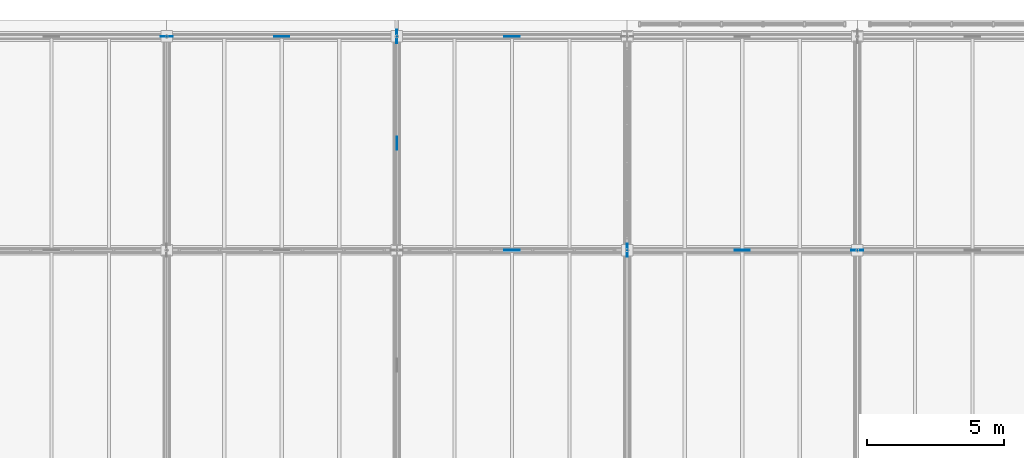
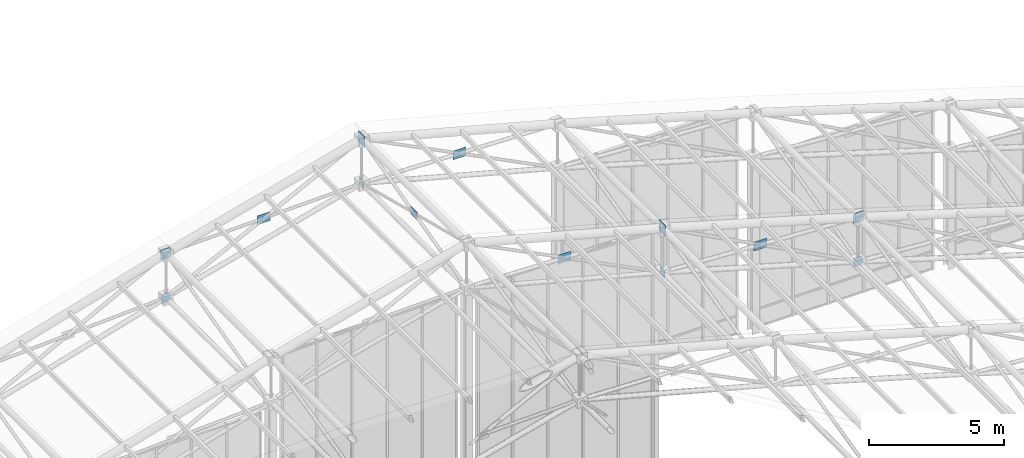
# One storey, part 126 of 144: 13 plates.
"""IFC4 building model written with IfcOpenShell, lengths in metres."""

from ifc_helpers import new_model, si_unit, direction, frame, origin, origin_2d, place, context, subcontext, project, spatial, rectangle, extrude, material, layer, layer_set, type_object, element, save


model = new_model("IFC4")

# Units and contexts
model_context = context("Model", 3, precision=1e-05, world=origin(), true_north=direction((0.0, 1.0)))
body_context = subcontext(model_context, "Body", "Model", "MODEL_VIEW")
ifc_project = project(units=[si_unit("LENGTHUNIT", "METRE"), si_unit("AREAUNIT", "SQUARE_METRE"), si_unit("VOLUMEUNIT", "CUBIC_METRE"), si_unit("PLANEANGLEUNIT", "RADIAN"), si_unit("MASSUNIT", "GRAM", prefix="KILO")], contexts=[model_context])

# Site, building, storey
site_placement = place(None, origin())
site = spatial("IfcSite", under=ifc_project, at=site_placement, CompositionType="ELEMENT")
building_placement = place(site_placement, origin())
building = spatial("IfcBuilding", under=site, at=building_placement, Name="Zayran Congress Hotel", CompositionType="ELEMENT")
storey_placement = place(building_placement, frame((0.0, 0.0, 19.199951171875)))
storey = spatial("IfcBuildingStorey", under=building, at=storey_placement, Name="L04", CompositionType="ELEMENT", Elevation=19.199951171875)

# Plates
ifc_material = material(Name="Steel S355", Category="steel")
ifc_layer_1 = layer(ifc_material, 0.02490234375)
ifc_layer_set_1 = layer_set([ifc_layer_1], Name="Steel S355")
plate_type_1 = type_object("IfcPlateType", Name="TP-SN-CP1", PredefinedType="USERDEFINED", material=ifc_layer_set_1)
for number, where, z_axis, x_axis, name in (
    (1, (42.0, 117.39990234375, 12.132080078125), (0.0, 0.0, 1.0), (1.0, 0.0, 0.0), "Space Frame Node Cap Plate 35"),
    (2, (67.199951171875, 109.60009765625, 9.68212890625), (0.0, 0.0, 1.0), (1.0, 0.0, 0.0), "Space Frame Node Cap Plate 55"),
):
    element("IfcPlate", number, at=place(storey_placement, frame(where, z_axis=z_axis, x_axis=x_axis)), inside=storey, type_object=plate_type_1, Name=name, ObjectType="GUSSET_PLATE", PredefinedType="USERDEFINED", context=body_context, shape_type="SweptSolid", body=[
        extrude(rectangle(XDim=0.43994140625, YDim=0.02490234375, at=origin_2d()), origin(), (0.0, 0.0, 1.0), 0.43994140625),
    ])
ifc_layer_2 = layer(ifc_material, 0.02490234375)
ifc_layer_set_2 = layer_set([ifc_layer_2], Name="Steel S355")
plate_type_2 = type_object("IfcPlateType", Name="TP-SN-CP2", PredefinedType="USERDEFINED", material=ifc_layer_set_2)
for number, where, z_axis, x_axis, name in (
    (3, (42.0, 117.39990234375, 10.16015625), (0.0, 0.0, 1.0), (1.0, 0.0, 0.0), "Space Frame Node Cap Plate 112"),
    (4, (67.199951171875, 109.60009765625, 7.710205078125), (0.0, 0.0, 1.0), (1.0, 0.0, 0.0), "Space Frame Node Cap Plate 132"),
):
    element("IfcPlate", number, at=place(storey_placement, frame(where, z_axis=z_axis, x_axis=x_axis)), inside=storey, type_object=plate_type_2, Name=name, ObjectType="GUSSET_PLATE", PredefinedType="USERDEFINED", context=body_context, shape_type="SweptSolid", body=[
        extrude(rectangle(XDim=0.3798828125, YDim=0.02490234375, at=origin_2d()), origin(), (0.0, 0.0, 1.0), 0.3798828125),
    ])
ifc_layer_3 = layer(ifc_material, 0.02001953125)
ifc_layer_set_3 = layer_set([ifc_layer_3], Name="Steel S355")
plate_type_3 = type_object("IfcPlateType", Name="TP-SN-CP3", PredefinedType="USERDEFINED", material=ifc_layer_set_3)
for number, where, z_axis, x_axis, name in (
    (5, (50.39990234375, 117.39990234375, 12.43017578125), (0.0, 0.0, 1.0), (0.0, 1.0, 0.0), "Space Frame Node Cap Plate 119"),
    (6, (58.800048828125, 109.60009765625, 10.18017578125), (0.0, 0.0, 1.0), (0.0, 1.0, 0.0), "Space Frame Node Cap Plate 125"),
):
    element("IfcPlate", number, at=place(storey_placement, frame(where, z_axis=z_axis, x_axis=x_axis)), inside=storey, type_object=plate_type_3, Name=name, ObjectType="GUSSET_PLATE", PredefinedType="USERDEFINED", context=body_context, shape_type="SweptSolid", body=[
        extrude(rectangle(XDim=0.340087890625, YDim=0.02001953125, at=origin_2d()), origin(), (0.0, 0.0, 1.0), 0.340087890625),
    ])
ifc_layer_4 = layer(ifc_material, 0.028076171875)
ifc_layer_set_4 = layer_set([ifc_layer_4], Name="Steel S355")
plate_type_4 = type_object("IfcPlateType", Name="TP-SN-CP4", PredefinedType="USERDEFINED", material=ifc_layer_set_4)
for number, where, z_axis, x_axis, name in (
    (7, (50.39990234375, 117.39990234375, 14.362060546875), (0.0, 0.0, 1.0), (0.0, 1.0, 0.0), "Space Frame Node Cap Plate 42"),
    (8, (58.800048828125, 109.60009765625, 12.112060546875), (0.0, 0.0, 1.0), (0.0, 1.0, 0.0), "Space Frame Node Cap Plate 48"),
):
    element("IfcPlate", number, at=place(storey_placement, frame(where, z_axis=z_axis, x_axis=x_axis)), inside=storey, type_object=plate_type_4, Name=name, ObjectType="GUSSET_PLATE", PredefinedType="USERDEFINED", context=body_context, shape_type="SweptSolid", body=[
        extrude(rectangle(XDim=0.47998046875, YDim=0.028076171875, at=origin_2d()), origin(), (0.0, 0.0, 1.0), 0.47998046875),
    ])
ifc_layer_5 = layer(ifc_material, 0.02490234375)
ifc_layer_set_5 = layer_set([ifc_layer_5], Name="Steel S355")
plate_type_5 = type_object("IfcPlateType", Name="TP-GS-01", PredefinedType="USERDEFINED", material=ifc_layer_set_5)
for number, where, z_axis, x_axis, name in (
    (9, (46.199951171875, 117.39990234375, 12.276123046875), (0.0, 0.0, 1.0), (1.0, 0.0, 0.0), "V1 Brace Crossing Gusset Plate 41"),
    (10, (54.60009765625, 109.60009765625, 12.276123046875), (0.0, 0.0, 1.0), (1.0, 0.0, 0.0), "V1 Brace Crossing Gusset Plate 52"),
    (11, (54.60009765625, 117.39990234375, 12.276123046875), (0.0, 0.0, 1.0), (1.0, 0.0, 0.0), "V1 Brace Crossing Gusset Plate 54"),
    (12, (63.0, 109.60009765625, 9.926025390625), (0.0, 0.0, 1.0), (1.0, 0.0, 0.0), "V1 Brace Crossing Gusset Plate 60"),
):
    element("IfcPlate", number, at=place(storey_placement, frame(where, z_axis=z_axis, x_axis=x_axis)), inside=storey, type_object=plate_type_5, Name=name, ObjectType="GUSSET_PLATE", PredefinedType="USERDEFINED", context=body_context, shape_type="SweptSolid", body=[
        extrude(rectangle(XDim=0.550048828125, YDim=0.02490234375, at=origin_2d()), origin(), (0.0, 0.0, 1.0), 0.39990234375),
    ])
ifc_layer_6 = layer(ifc_material, 0.02001953125)
ifc_layer_set_6 = layer_set([ifc_layer_6], Name="Steel S355")
plate_type_6 = type_object("IfcPlateType", Name="TP-GS-02", PredefinedType="USERDEFINED", material=ifc_layer_set_6)
plate_placement = place(storey_placement, frame((50.39990234375, 113.5, 13.4208984375), z_axis=(0.0, 0.0, 1.0), x_axis=(0.0, 1.0, 0.0)))
element("IfcPlate", 13, at=plate_placement, inside=storey, type_object=plate_type_6, Name="V1 Brace Crossing Gusset Plate 53", ObjectType="GUSSET_PLATE", PredefinedType="USERDEFINED", context=body_context, shape_type="SweptSolid", body=[
    extrude(rectangle(XDim=0.47998046875, YDim=0.02001953125, at=origin_2d()), origin(), (0.0, 0.0, 1.0), 0.360107421875),
])

save(model, "model.ifc")
